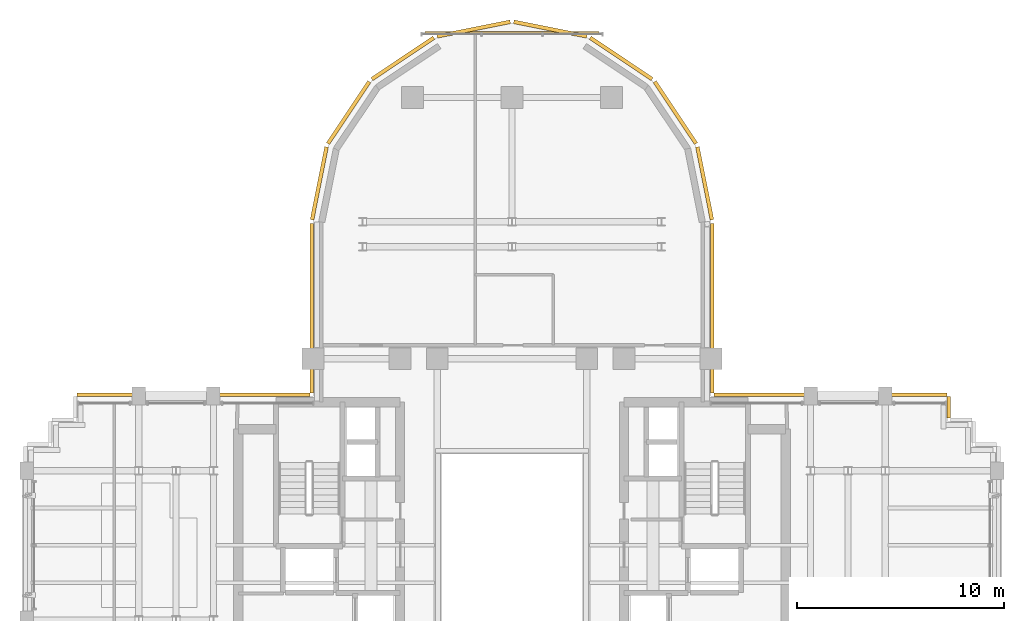
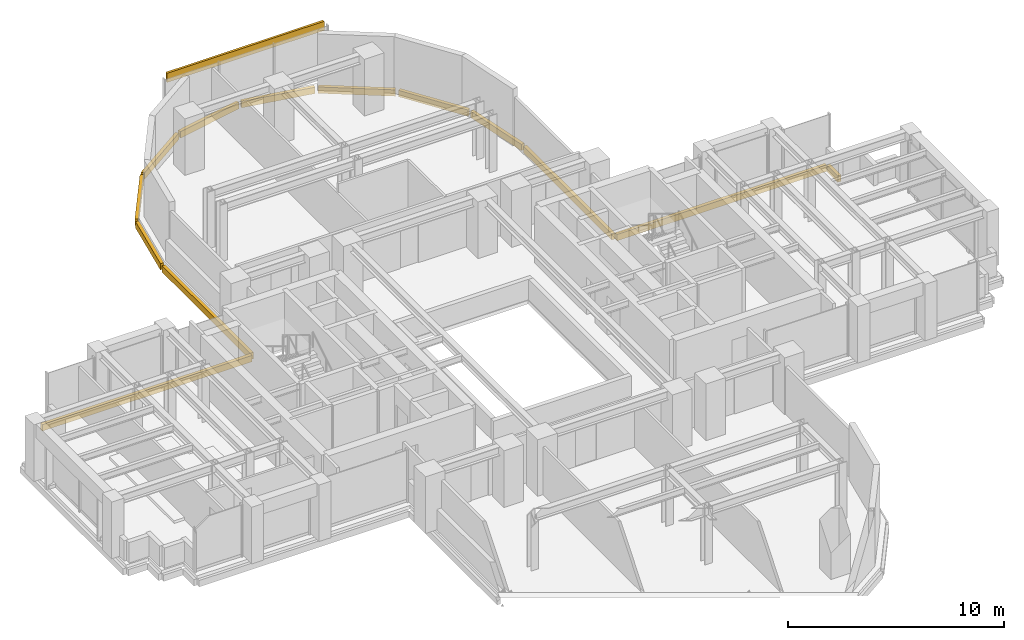
# One storey, part 13 of 13: 14 coverings.
"""IFC4 building model written with IfcOpenShell, lengths in metres."""

import ifcopenshell
import ifcopenshell.guid

model = None  # the IFC model being written
_history = None  # IfcOwnerHistory: only IFC2X3 demands one
_inside = {}  # id of a spatial element -> (the spatial element, [elements in it])
_under = {}  # id of a project, library or spatial element -> (it, [spatial elements below it])
_declared = {}  # id of a project -> (the project, [libraries it declares])
_typed = {}  # id of a type object -> (the type object, [elements of that type])
_made_of = {}  # id of a material, layer set ... -> (it, [elements and type objects made of it])


def new_model(schema):
    """Start an empty IFC model of exactly this schema.

    Asked for "IFC4X3", IfcOpenShell would pick the latest addendum, in which some entities
    have other attributes; the version numbers below select the first issue.
    IFC2X3 requires an IfcOwnerHistory on every rooted entity: one is made here for all.
    """
    global model, _history
    if schema == "IFC4X3":
        model = ifcopenshell.file(schema_version=(4, 3, 0, 0))
    else:
        model = ifcopenshell.file(schema=schema)
    _inside.clear()
    _under.clear()
    _declared.clear()
    _typed.clear()
    _made_of.clear()
    _history = None
    if model.schema == "IFC2X3":
        org = make("IfcOrganization", Name="unknown")
        user = make(
            "IfcPersonAndOrganization",
            ThePerson=make("IfcPerson", FamilyName="unknown"),
            TheOrganization=org,
        )
        app = make(
            "IfcApplication",
            ApplicationDeveloper=org,
            Version="unknown",
            ApplicationFullName="unknown",
            ApplicationIdentifier="unknown",
        )
        _history = make(
            "IfcOwnerHistory",
            OwningUser=user,
            OwningApplication=app,
            ChangeAction="ADDED",
            CreationDate=0,
        )
    return model


def make(cls, **values):
    """One entity of the class cls with the attributes given. An attribute that is None is left unset."""
    return model.create_entity(
        cls, **{name: value for name, value in values.items() if value is not None}
    )


def rooted(cls, **values):
    """An entity with a GlobalId (a new one), such as an element, a storey or a relation."""
    return make(cls, GlobalId=ifcopenshell.guid.new(), OwnerHistory=_history, **values)


def si_unit(unit_type, name, prefix=None):
    """IfcSIUnit, for example si_unit("LENGTHUNIT", "METRE", prefix="MILLI")."""
    return make("IfcSIUnit", UnitType=unit_type, Prefix=prefix, Name=name)


def assignment(units):
    """IfcUnitAssignment: the units of a project."""
    return None if units is None else make("IfcUnitAssignment", Units=units)


def point(xyz):
    """IfcCartesianPoint."""
    return None if xyz is None else make("IfcCartesianPoint", Coordinates=xyz)


def direction(xyz):
    """IfcDirection."""
    return None if xyz is None else make("IfcDirection", DirectionRatios=xyz)


def frame(location, z_axis=None, x_axis=None):
    """IfcAxis2Placement3D, a coordinate frame: its origin and axes. An axis left out is left unset."""
    return make(
        "IfcAxis2Placement3D",
        Location=point(location),
        Axis=direction(z_axis),
        RefDirection=direction(x_axis),
    )


def frame_2d(location, x_axis=None):
    """IfcAxis2Placement2D, a coordinate frame in the plane: its origin and x axis."""
    return make(
        "IfcAxis2Placement2D", Location=point(location), RefDirection=direction(x_axis)
    )


def origin():
    """The frame at (0, 0, 0) with its axes left unset."""
    return frame((0.0, 0.0, 0.0))


def origin_2d():
    """The frame at (0, 0) in the plane with its x axis left unset."""
    return frame_2d((0.0, 0.0))


def place(relative_to, where):
    """IfcLocalPlacement: puts the frame where relative to a parent placement (None: the world)."""
    return make(
        "IfcLocalPlacement", PlacementRelTo=relative_to, RelativePlacement=where
    )


def context(
    kind, dimensions, precision=None, world=None, true_north=None, identifier=None
):
    """IfcGeometricRepresentationContext, for example the 3D "Model" context."""
    return make(
        "IfcGeometricRepresentationContext",
        ContextIdentifier=identifier,
        ContextType=kind,
        CoordinateSpaceDimension=dimensions,
        Precision=precision,
        WorldCoordinateSystem=world,
        TrueNorth=true_north,
    )


def subcontext(parent, identifier, kind, view, scale=None):
    """IfcGeometricRepresentationSubContext, for example "Body" below "Model"."""
    return make(
        "IfcGeometricRepresentationSubContext",
        ContextIdentifier=identifier,
        ContextType=kind,
        ParentContext=parent,
        TargetScale=scale,
        TargetView=view,
    )


def project(units=None, contexts=None):
    """IfcProject with its units and contexts."""
    return rooted(
        "IfcProject",
        Name="project",
        RepresentationContexts=contexts,
        UnitsInContext=assignment(units),
    )


def spatial(cls, under=None, at=None, **own):
    """A site, building, storey or space (cls), placed at a placement, below another one or the project."""
    s = rooted(cls, ObjectPlacement=at, **own)
    if under is not None:
        _under.setdefault(under.id(), (under, []))[1].append(s)
    return s


def profile(cls, at=None, kind="AREA", **sizes):
    """A parametric profile (cls). Its sizes go by their IFC names, for example OverallWidth=200.0."""
    return make(cls, ProfileType=kind, Position=at, **sizes)


def rectangle(**sizes):
    """IfcRectangleProfileDef."""
    return profile("IfcRectangleProfileDef", **sizes)


def extrude(swept, where, along, depth):
    """IfcExtrudedAreaSolid: the profile swept, set in the frame where, extruded along a direction by depth."""
    return make(
        "IfcExtrudedAreaSolid",
        SweptArea=swept,
        Position=where,
        ExtrudedDirection=direction(along),
        Depth=depth,
    )


def shape(context_of_items, identifier, shape_type, items):
    """IfcShapeRepresentation: the items that make up one representation, for example the "Body"."""
    return make(
        "IfcShapeRepresentation",
        ContextOfItems=context_of_items,
        RepresentationIdentifier=identifier,
        RepresentationType=shape_type,
        Items=items,
    )


def source(mapping_origin, context_of_items, identifier, shape_type, items):
    """IfcRepresentationMap: a shape defined once, which mapped items show again and again."""
    return make(
        "IfcRepresentationMap",
        MappingOrigin=mapping_origin,
        MappedRepresentation=shape(context_of_items, identifier, shape_type, items),
    )


def transform(
    local_origin,
    x_axis=None,
    y_axis=None,
    z_axis=None,
    scale=None,
    scale2=None,
    scale3=None,
    uniform=True,
):
    """IfcCartesianTransformationOperator3D, or its non-uniform kind. x_axis, y_axis, z_axis: its Axis1, 2, 3."""
    if uniform:
        return make(
            "IfcCartesianTransformationOperator3D",
            Axis1=direction(x_axis),
            Axis2=direction(y_axis),
            LocalOrigin=point(local_origin),
            Scale=scale,
            Axis3=direction(z_axis),
        )
    return make(
        "IfcCartesianTransformationOperator3DnonUniform",
        Axis1=direction(x_axis),
        Axis2=direction(y_axis),
        LocalOrigin=point(local_origin),
        Scale=scale,
        Axis3=direction(z_axis),
        Scale2=scale2,
        Scale3=scale3,
    )


def mapped(mapping_source, mapping_target):
    """IfcMappedItem: shows the shape of a source again, moved by a transform."""
    return make(
        "IfcMappedItem", MappingSource=mapping_source, MappingTarget=mapping_target
    )


def material(Name=None, Category=None):
    """IfcMaterial."""
    return make("IfcMaterial", Name=Name, Category=Category)


def layer(
    of_material, thickness, ventilated=None, Name=None, Category=None, Priority=None
):
    """IfcMaterialLayer: one layer of a wall or slab, of a material (None: an air gap)."""
    return make(
        "IfcMaterialLayer",
        Material=of_material,
        LayerThickness=thickness,
        IsVentilated=ventilated,
        Name=Name,
        Category=Category,
        Priority=Priority,
    )


def layer_set(layers, Name=None):
    """IfcMaterialLayerSet."""
    return make("IfcMaterialLayerSet", MaterialLayers=layers, LayerSetName=Name)


def made_of(thing, what):
    """Note that an element or type object is made of a material, layer set ...; save() writes the relation."""
    if what is not None:
        _made_of.setdefault(what.id(), (what, []))[1].append(thing)
    return thing


def type_object(cls, material=None, **own):
    """A type object (cls), such as IfcWallType, which elements share."""
    return made_of(rooted(cls, **own), material)


def element(
    cls,
    number,
    at=None,
    inside=None,
    cuts=None,
    type_object=None,
    material=None,
    context=None,
    identifier="Body",
    shape_type=None,
    held_by="IfcProductDefinitionShape",
    body=None,
    shapes=None,
    **own,
):
    """One element of the class cls, such as IfcWall. Its Tag is "e" and its number.

    at: its placement. inside: the storey or other place that contains it. cuts: it is an
    opening in that element (IfcRelVoidsElement). A single representation is given by context,
    identifier, shape_type and body (its items); several are given by shapes. held_by: the class
    of the entity that holds the representations. save() writes the other relations.
    """
    e = rooted(cls, Tag="e%d" % number, ObjectPlacement=at, **own)
    if body is not None:
        shapes = [shape(context, identifier, shape_type, body)]
    if shapes is not None:
        e.Representation = make(held_by, Representations=shapes)
    if inside is not None:
        _inside.setdefault(inside.id(), (inside, []))[1].append(e)
    if cuts is not None:
        rooted(
            "IfcRelVoidsElement", RelatingBuildingElement=cuts, RelatedOpeningElement=e
        )
    if type_object is not None:
        _typed.setdefault(type_object.id(), (type_object, []))[1].append(e)
    return made_of(e, material)


def aggregate(whole, parts):
    """IfcRelAggregates: a whole, such as a stair, and the parts it consists of."""
    return rooted("IfcRelAggregates", RelatingObject=whole, RelatedObjects=parts)


def save(model, path):
    """Write the relations noted so far, then the file.

    IfcRelAggregates (storeys below a building ...), IfcRelContainedInSpatialStructure (elements
    in a storey), IfcRelDefinesByType, IfcRelAssociatesMaterial and IfcRelDeclares: one each for
    every whole, place, type object, material and project.
    """
    for whole, parts in _under.values():
        aggregate(whole, parts)
    for where, things in _inside.values():
        rooted(
            "IfcRelContainedInSpatialStructure",
            RelatedElements=things,
            RelatingStructure=where,
        )
    for kind, things in _typed.values():
        rooted("IfcRelDefinesByType", RelatedObjects=things, RelatingType=kind)
    for what, things in _made_of.values():
        rooted("IfcRelAssociatesMaterial", RelatedObjects=things, RelatingMaterial=what)
    for by, libraries in _declared.values():
        rooted("IfcRelDeclares", RelatingContext=by, RelatedDefinitions=libraries)
    model.write(path)


model = new_model("IFC4")

# Units and contexts
model_context = context("Model", 3, precision=1e-05, world=origin(), true_north=direction((0.0, 1.0)))
body_context = subcontext(model_context, "Body", "Model", "MODEL_VIEW")
ifc_project = project(units=[si_unit("LENGTHUNIT", "METRE"), si_unit("AREAUNIT", "SQUARE_METRE"), si_unit("VOLUMEUNIT", "CUBIC_METRE"), si_unit("PLANEANGLEUNIT", "RADIAN"), si_unit("MASSUNIT", "GRAM", prefix="KILO")], contexts=[model_context])

# Site, building, storey
site_placement = place(None, origin())
site = spatial("IfcSite", under=ifc_project, at=site_placement, CompositionType="ELEMENT")
building_placement = place(site_placement, origin())
building = spatial("IfcBuilding", under=site, at=building_placement, Name="Keilestroom Media Tower", CompositionType="ELEMENT")
storey_placement = place(building_placement, frame((0.0, 0.0, 141.39990234375)))
storey = spatial("IfcBuildingStorey", under=building, at=storey_placement, Name="L38", CompositionType="ELEMENT", Elevation=141.39990234375)

# Coverings
ifc_material = material(Name="Precast concrete C40/50", Category="concrete")
ifc_layer = layer(ifc_material, 0.1201171875)
ifc_layer_set = layer_set([ifc_layer], Name="Precast concrete C40/50")
covering_type = type_object("IfcCoveringType", Name="Exterior-Precast-Spandrel-Cladding-Panel-120", PredefinedType="CLADDING", material=ifc_layer_set)
shared_shape_1 = source(origin(), body_context, "Body", "SweptSolid", [
    extrude(rectangle(XDim=8.39990234375, YDim=0.1201171875, at=origin_2d()), origin(), (0.0, 0.0, 1.0), 0.52001953125),
])
covering_1_placement = place(storey_placement, frame((0.0, 24.719970703125, 2.690185546875), z_axis=(0.0, 0.0, 1.0), x_axis=(1.0, 0.0, 0.0)))
element("IfcCovering", 1, at=covering_1_placement, inside=storey, type_object=covering_type, Name="L38 Precast Spandrel Cladding N", PredefinedType="CLADDING", context=body_context, shape_type="MappedRepresentation", body=[
    mapped(shared_shape_1, transform((0.0, 0.0, 0.0), x_axis=(1.0, 0.0, 0.0), y_axis=(0.0, 1.0, 0.0), z_axis=(0.0, 0.0, 1.0), scale=1.0)),
])
shared_shape_2 = source(origin(), body_context, "Body", "SweptSolid", [
    extrude(rectangle(XDim=1.02001953125, YDim=0.179931640625, at=origin_2d()), origin(), (0.0, 0.0, 1.0), 0.360107421875),
])
covering_2_placement = place(storey_placement, frame((21.06005859375, 6.659912109375, -0.5400390625), z_axis=(0.0, 0.0, 1.0), x_axis=(0.0, -1.0, 0.0)))
element("IfcCovering", 2, at=covering_2_placement, inside=storey, type_object=covering_type, Name="L38 Precast Slab-Edge Fascia Cornice 38", PredefinedType="CLADDING", context=body_context, shape_type="MappedRepresentation", body=[
    mapped(shared_shape_2, transform((0.0, 0.0, 0.0), x_axis=(1.0, 0.0, 0.0), y_axis=(0.0, 1.0, 0.0), z_axis=(0.0, 0.0, 1.0), scale=1.0)),
])
shared_shape_3 = source(origin(), body_context, "Body", "SweptSolid", [
    extrude(rectangle(XDim=8.166015625, YDim=0.179931640625, at=origin_2d()), origin(), (0.0, 0.0, 1.0), 0.360107421875),
])
for number, where, z_axis, x_axis, name in (
    (3, (-9.659912109375, 11.43310546875, -0.5400390625), (0.0, 0.0, 1.0), (0.0, 1.0, 0.0), "L38 Precast Slab-Edge Fascia Cornice 27"),
    (4, (9.659912109375, 11.43310546875, -0.5400390625), (0.0, 0.0, 1.0), (0.0, -1.0, 0.0), "L38 Precast Slab-Edge Fascia Cornice 36"),
):
    element("IfcCovering", number, at=place(storey_placement, frame(where, z_axis=z_axis, x_axis=x_axis)), inside=storey, type_object=covering_type, Name=name, PredefinedType="CLADDING", context=body_context, shape_type="MappedRepresentation", body=[
        mapped(shared_shape_3, transform((0.0, 0.0, 0.0), x_axis=(1.0, 0.0, 0.0), y_axis=(0.0, 1.0, 0.0), z_axis=(0.0, 0.0, 1.0), scale=1.0)),
    ])
shared_shape_4 = source(origin(), body_context, "Body", "SweptSolid", [
    extrude(rectangle(XDim=3.58349609375, YDim=0.179931640625, at=origin_2d()), origin(), (0.0, 0.0, 1.0), 0.360107421875),
])
for number, where, z_axis, x_axis, name in (
    (5, (-9.29296875, 17.45166015625, -0.5400390625), (0.0, 0.0, 1.0), (0.195098880975, 0.980783577882, 0.0), "L38 Precast Slab-Edge Fascia Cornice 28"),
    (6, (9.29296875, 17.45166015625, -0.5400390625), (0.0, 0.0, 1.0), (0.195098880975, -0.980783577882, 0.0), "L38 Precast Slab-Edge Fascia Cornice 35"),
):
    element("IfcCovering", number, at=place(storey_placement, frame(where, z_axis=z_axis, x_axis=x_axis)), inside=storey, type_object=covering_type, Name=name, PredefinedType="CLADDING", context=body_context, shape_type="MappedRepresentation", body=[
        mapped(shared_shape_4, transform((0.0, 0.0, 0.0), x_axis=(1.0, 0.0, 0.0), y_axis=(0.0, 1.0, 0.0), z_axis=(0.0, 0.0, 1.0), scale=1.0)),
    ])
shared_shape_5 = source(origin(), body_context, "Body", "SweptSolid", [
    extrude(rectangle(XDim=3.589599609375, YDim=0.179931640625, at=origin_2d()), origin(), (0.0, 0.0, 1.0), 0.360107421875),
])
for number, where, z_axis, x_axis, name in (
    (7, (-7.878662109375, 20.8642578125, -0.5400390625), (0.0, 0.0, 1.0), (0.555574586577, 0.831466703332, 0.0), "L38 Precast Slab-Edge Fascia Cornice 29"),
    (8, (-5.264404296875, 23.478515625, -0.5400390625), (0.0, 0.0, 1.0), (0.831466703332, 0.555574586577, 0.0), "L38 Precast Slab-Edge Fascia Cornice 30"),
    (9, (-1.8486328125, 24.893310546875, -0.5400390625), (0.0, 0.0, 1.0), (0.980783577882, 0.195098880975, 0.0), "L38 Precast Slab-Edge Fascia Cornice 31"),
    (10, (1.8486328125, 24.893310546875, -0.5400390625), (0.0, 0.0, 1.0), (0.980783577882, -0.195098880975, 0.0), "L38 Precast Slab-Edge Fascia Cornice 32"),
    (11, (5.264404296875, 23.478515625, -0.5400390625), (0.0, 0.0, 1.0), (0.831466703332, -0.555574586577, 0.0), "L38 Precast Slab-Edge Fascia Cornice 33"),
    (12, (7.878662109375, 20.8642578125, -0.5400390625), (0.0, 0.0, 1.0), (0.555574586577, -0.831466703332, 0.0), "L38 Precast Slab-Edge Fascia Cornice 34"),
):
    element("IfcCovering", number, at=place(storey_placement, frame(where, z_axis=z_axis, x_axis=x_axis)), inside=storey, type_object=covering_type, Name=name, PredefinedType="CLADDING", context=body_context, shape_type="MappedRepresentation", body=[
        mapped(shared_shape_5, transform((0.0, 0.0, 0.0), x_axis=(1.0, 0.0, 0.0), y_axis=(0.0, 1.0, 0.0), z_axis=(0.0, 0.0, 1.0), scale=1.0)),
    ])
shared_shape_6 = source(origin(), body_context, "Body", "SweptSolid", [
    extrude(rectangle(XDim=11.219970703125, YDim=0.179931640625, at=origin_2d()), origin(), (0.0, 0.0, 1.0), 0.360107421875),
])
for number, where, z_axis, x_axis, name in (
    (13, (-15.360107421875, 7.260009765625, -0.5400390625), (0.0, 0.0, 1.0), (1.0, 0.0, 0.0), "L38 Precast Slab-Edge Fascia Cornice 26"),
    (14, (15.360107421875, 7.260009765625, -0.5400390625), (0.0, 0.0, 1.0), (1.0, 0.0, 0.0), "L38 Precast Slab-Edge Fascia Cornice 37"),
):
    element("IfcCovering", number, at=place(storey_placement, frame(where, z_axis=z_axis, x_axis=x_axis)), inside=storey, type_object=covering_type, Name=name, PredefinedType="CLADDING", context=body_context, shape_type="MappedRepresentation", body=[
        mapped(shared_shape_6, transform((0.0, 0.0, 0.0), x_axis=(1.0, 0.0, 0.0), y_axis=(0.0, 1.0, 0.0), z_axis=(0.0, 0.0, 1.0), scale=1.0)),
    ])

save(model, "model.ifc")
